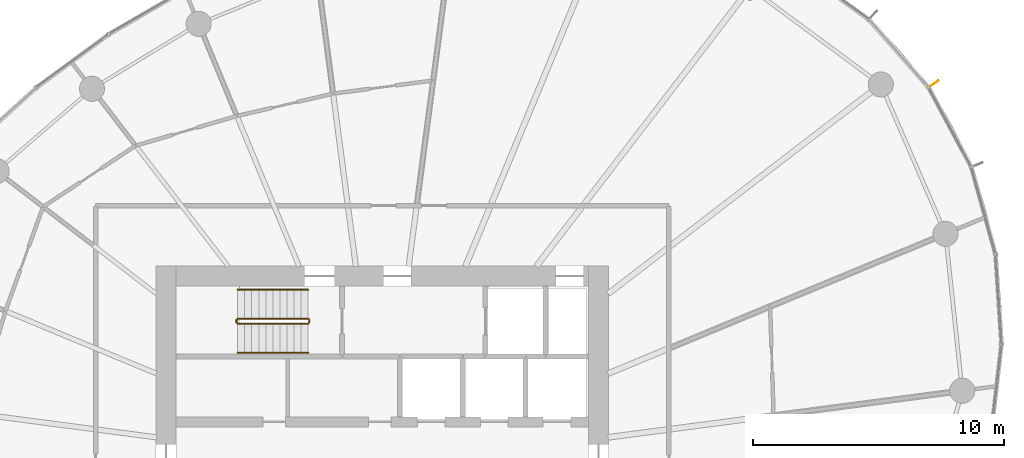
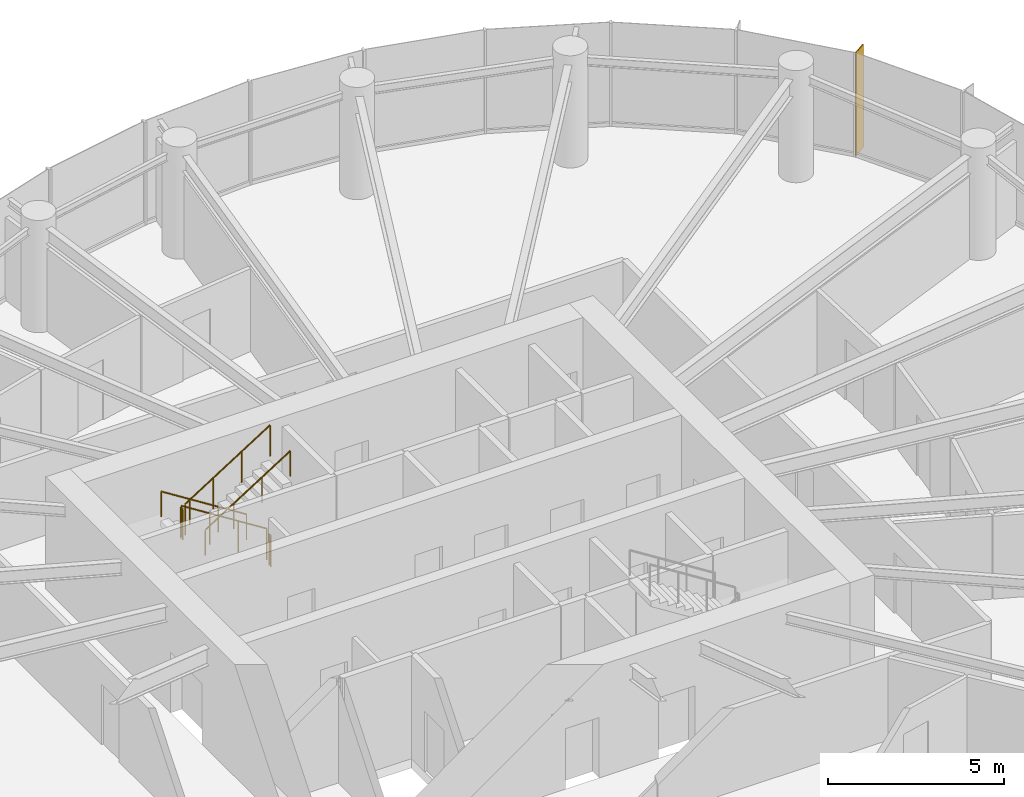
# One storey, part 13 of 14: 6 railings, 1 shading device.
"""IFC4 building model written with IfcOpenShell, lengths in metres."""

import ifcopenshell
import ifcopenshell.guid

model = None  # the IFC model being written
_history = None  # IfcOwnerHistory: only IFC2X3 demands one
_inside = {}  # id of a spatial element -> (the spatial element, [elements in it])
_under = {}  # id of a project, library or spatial element -> (it, [spatial elements below it])
_declared = {}  # id of a project -> (the project, [libraries it declares])
_typed = {}  # id of a type object -> (the type object, [elements of that type])
_made_of = {}  # id of a material, layer set ... -> (it, [elements and type objects made of it])


def new_model(schema):
    """Start an empty IFC model of exactly this schema.

    Asked for "IFC4X3", IfcOpenShell would pick the latest addendum, in which some entities
    have other attributes; the version numbers below select the first issue.
    IFC2X3 requires an IfcOwnerHistory on every rooted entity: one is made here for all.
    """
    global model, _history
    if schema == "IFC4X3":
        model = ifcopenshell.file(schema_version=(4, 3, 0, 0))
    else:
        model = ifcopenshell.file(schema=schema)
    _inside.clear()
    _under.clear()
    _declared.clear()
    _typed.clear()
    _made_of.clear()
    _history = None
    if model.schema == "IFC2X3":
        org = make("IfcOrganization", Name="unknown")
        user = make(
            "IfcPersonAndOrganization",
            ThePerson=make("IfcPerson", FamilyName="unknown"),
            TheOrganization=org,
        )
        app = make(
            "IfcApplication",
            ApplicationDeveloper=org,
            Version="unknown",
            ApplicationFullName="unknown",
            ApplicationIdentifier="unknown",
        )
        _history = make(
            "IfcOwnerHistory",
            OwningUser=user,
            OwningApplication=app,
            ChangeAction="ADDED",
            CreationDate=0,
        )
    return model


def make(cls, **values):
    """One entity of the class cls with the attributes given. An attribute that is None is left unset."""
    return model.create_entity(
        cls, **{name: value for name, value in values.items() if value is not None}
    )


def rooted(cls, **values):
    """An entity with a GlobalId (a new one), such as an element, a storey or a relation."""
    return make(cls, GlobalId=ifcopenshell.guid.new(), OwnerHistory=_history, **values)


def si_unit(unit_type, name, prefix=None):
    """IfcSIUnit, for example si_unit("LENGTHUNIT", "METRE", prefix="MILLI")."""
    return make("IfcSIUnit", UnitType=unit_type, Prefix=prefix, Name=name)


def assignment(units):
    """IfcUnitAssignment: the units of a project."""
    return None if units is None else make("IfcUnitAssignment", Units=units)


def point(xyz):
    """IfcCartesianPoint."""
    return None if xyz is None else make("IfcCartesianPoint", Coordinates=xyz)


def direction(xyz):
    """IfcDirection."""
    return None if xyz is None else make("IfcDirection", DirectionRatios=xyz)


def frame(location, z_axis=None, x_axis=None):
    """IfcAxis2Placement3D, a coordinate frame: its origin and axes. An axis left out is left unset."""
    return make(
        "IfcAxis2Placement3D",
        Location=point(location),
        Axis=direction(z_axis),
        RefDirection=direction(x_axis),
    )


def frame_2d(location, x_axis=None):
    """IfcAxis2Placement2D, a coordinate frame in the plane: its origin and x axis."""
    return make(
        "IfcAxis2Placement2D", Location=point(location), RefDirection=direction(x_axis)
    )


def origin():
    """The frame at (0, 0, 0) with its axes left unset."""
    return frame((0.0, 0.0, 0.0))


def origin_2d():
    """The frame at (0, 0) in the plane with its x axis left unset."""
    return frame_2d((0.0, 0.0))


def place(relative_to, where):
    """IfcLocalPlacement: puts the frame where relative to a parent placement (None: the world)."""
    return make(
        "IfcLocalPlacement", PlacementRelTo=relative_to, RelativePlacement=where
    )


def context(
    kind, dimensions, precision=None, world=None, true_north=None, identifier=None
):
    """IfcGeometricRepresentationContext, for example the 3D "Model" context."""
    return make(
        "IfcGeometricRepresentationContext",
        ContextIdentifier=identifier,
        ContextType=kind,
        CoordinateSpaceDimension=dimensions,
        Precision=precision,
        WorldCoordinateSystem=world,
        TrueNorth=true_north,
    )


def subcontext(parent, identifier, kind, view, scale=None):
    """IfcGeometricRepresentationSubContext, for example "Body" below "Model"."""
    return make(
        "IfcGeometricRepresentationSubContext",
        ContextIdentifier=identifier,
        ContextType=kind,
        ParentContext=parent,
        TargetScale=scale,
        TargetView=view,
    )


def project(units=None, contexts=None):
    """IfcProject with its units and contexts."""
    return rooted(
        "IfcProject",
        Name="project",
        RepresentationContexts=contexts,
        UnitsInContext=assignment(units),
    )


def spatial(cls, under=None, at=None, **own):
    """A site, building, storey or space (cls), placed at a placement, below another one or the project."""
    s = rooted(cls, ObjectPlacement=at, **own)
    if under is not None:
        _under.setdefault(under.id(), (under, []))[1].append(s)
    return s


def profile(cls, at=None, kind="AREA", **sizes):
    """A parametric profile (cls). Its sizes go by their IFC names, for example OverallWidth=200.0."""
    return make(cls, ProfileType=kind, Position=at, **sizes)


def rectangle(**sizes):
    """IfcRectangleProfileDef."""
    return profile("IfcRectangleProfileDef", **sizes)


def circle(**sizes):
    """IfcCircleProfileDef."""
    return profile("IfcCircleProfileDef", **sizes)


def extrude(swept, where, along, depth):
    """IfcExtrudedAreaSolid: the profile swept, set in the frame where, extruded along a direction by depth."""
    return make(
        "IfcExtrudedAreaSolid",
        SweptArea=swept,
        Position=where,
        ExtrudedDirection=direction(along),
        Depth=depth,
    )


def shape(context_of_items, identifier, shape_type, items):
    """IfcShapeRepresentation: the items that make up one representation, for example the "Body"."""
    return make(
        "IfcShapeRepresentation",
        ContextOfItems=context_of_items,
        RepresentationIdentifier=identifier,
        RepresentationType=shape_type,
        Items=items,
    )


def source(mapping_origin, context_of_items, identifier, shape_type, items):
    """IfcRepresentationMap: a shape defined once, which mapped items show again and again."""
    return make(
        "IfcRepresentationMap",
        MappingOrigin=mapping_origin,
        MappedRepresentation=shape(context_of_items, identifier, shape_type, items),
    )


def transform(
    local_origin,
    x_axis=None,
    y_axis=None,
    z_axis=None,
    scale=None,
    scale2=None,
    scale3=None,
    uniform=True,
):
    """IfcCartesianTransformationOperator3D, or its non-uniform kind. x_axis, y_axis, z_axis: its Axis1, 2, 3."""
    if uniform:
        return make(
            "IfcCartesianTransformationOperator3D",
            Axis1=direction(x_axis),
            Axis2=direction(y_axis),
            LocalOrigin=point(local_origin),
            Scale=scale,
            Axis3=direction(z_axis),
        )
    return make(
        "IfcCartesianTransformationOperator3DnonUniform",
        Axis1=direction(x_axis),
        Axis2=direction(y_axis),
        LocalOrigin=point(local_origin),
        Scale=scale,
        Axis3=direction(z_axis),
        Scale2=scale2,
        Scale3=scale3,
    )


def mapped(mapping_source, mapping_target):
    """IfcMappedItem: shows the shape of a source again, moved by a transform."""
    return make(
        "IfcMappedItem", MappingSource=mapping_source, MappingTarget=mapping_target
    )


def material(Name=None, Category=None):
    """IfcMaterial."""
    return make("IfcMaterial", Name=Name, Category=Category)


def material_profile(
    of_material, cross_section, Name=None, Category=None, Priority=None
):
    """IfcMaterialProfile: a cross section and its material."""
    return make(
        "IfcMaterialProfile",
        Name=Name,
        Material=of_material,
        Profile=cross_section,
        Priority=Priority,
        Category=Category,
    )


def profile_set(profiles, Name=None, composite=None):
    """IfcMaterialProfileSet."""
    return make(
        "IfcMaterialProfileSet",
        Name=Name,
        MaterialProfiles=profiles,
        CompositeProfile=composite,
    )


def made_of(thing, what):
    """Note that an element or type object is made of a material, layer set ...; save() writes the relation."""
    if what is not None:
        _made_of.setdefault(what.id(), (what, []))[1].append(thing)
    return thing


def type_object(cls, material=None, **own):
    """A type object (cls), such as IfcWallType, which elements share."""
    return made_of(rooted(cls, **own), material)


def element(
    cls,
    number,
    at=None,
    inside=None,
    cuts=None,
    type_object=None,
    material=None,
    context=None,
    identifier="Body",
    shape_type=None,
    held_by="IfcProductDefinitionShape",
    body=None,
    shapes=None,
    **own,
):
    """One element of the class cls, such as IfcWall. Its Tag is "e" and its number.

    at: its placement. inside: the storey or other place that contains it. cuts: it is an
    opening in that element (IfcRelVoidsElement). A single representation is given by context,
    identifier, shape_type and body (its items); several are given by shapes. held_by: the class
    of the entity that holds the representations. save() writes the other relations.
    """
    e = rooted(cls, Tag="e%d" % number, ObjectPlacement=at, **own)
    if body is not None:
        shapes = [shape(context, identifier, shape_type, body)]
    if shapes is not None:
        e.Representation = make(held_by, Representations=shapes)
    if inside is not None:
        _inside.setdefault(inside.id(), (inside, []))[1].append(e)
    if cuts is not None:
        rooted(
            "IfcRelVoidsElement", RelatingBuildingElement=cuts, RelatedOpeningElement=e
        )
    if type_object is not None:
        _typed.setdefault(type_object.id(), (type_object, []))[1].append(e)
    return made_of(e, material)


def aggregate(whole, parts):
    """IfcRelAggregates: a whole, such as a stair, and the parts it consists of."""
    return rooted("IfcRelAggregates", RelatingObject=whole, RelatedObjects=parts)


def save(model, path):
    """Write the relations noted so far, then the file.

    IfcRelAggregates (storeys below a building ...), IfcRelContainedInSpatialStructure (elements
    in a storey), IfcRelDefinesByType, IfcRelAssociatesMaterial and IfcRelDeclares: one each for
    every whole, place, type object, material and project.
    """
    for whole, parts in _under.values():
        aggregate(whole, parts)
    for where, things in _inside.values():
        rooted(
            "IfcRelContainedInSpatialStructure",
            RelatedElements=things,
            RelatingStructure=where,
        )
    for kind, things in _typed.values():
        rooted("IfcRelDefinesByType", RelatedObjects=things, RelatingType=kind)
    for what, things in _made_of.values():
        rooted("IfcRelAssociatesMaterial", RelatedObjects=things, RelatingMaterial=what)
    for by, libraries in _declared.values():
        rooted("IfcRelDeclares", RelatingContext=by, RelatedDefinitions=libraries)
    model.write(path)


model = new_model("IFC4")

# Units and contexts
model_context = context("Model", 3, precision=1e-05, world=origin(), true_north=direction((0.0, 1.0)))
body_context = subcontext(model_context, "Body", "Model", "MODEL_VIEW")
ifc_project = project(units=[si_unit("LENGTHUNIT", "METRE"), si_unit("AREAUNIT", "SQUARE_METRE"), si_unit("VOLUMEUNIT", "CUBIC_METRE"), si_unit("PLANEANGLEUNIT", "RADIAN"), si_unit("MASSUNIT", "GRAM", prefix="KILO")], contexts=[model_context])

# Site, building, storey
site_placement = place(None, origin())
site = spatial("IfcSite", under=ifc_project, at=site_placement, CompositionType="ELEMENT")
building_placement = place(site_placement, origin())
building = spatial("IfcBuilding", under=site, at=building_placement, Name="Spindrift Exchange Tower", CompositionType="ELEMENT")
storey_placement = place(building_placement, frame((0.0, 0.0, 160.39990234375)))
storey = spatial("IfcBuildingStorey", under=building, at=storey_placement, Name="L38", CompositionType="ELEMENT", Elevation=160.39990234375)

# Railings
ifc_material_1 = material(Name="Steel balustrade", Category="steel")
railing_type_1 = type_object("IfcRailingType", Name="RL-STAIR-GUARD", PredefinedType="GUARDRAIL", material=ifc_material_1)
railing_1_placement = place(storey_placement, frame((49.050048828125, 53.89990234375, 0.177490234375)))
element("IfcRailing", 1, at=railing_1_placement, inside=storey, type_object=railing_type_1, Name="L38 ST1 stair guard 1", PredefinedType="GUARDRAIL", context=body_context, shape_type="SweptSolid", body=[
    extrude(circle(Radius=0.02392578125, at=origin_2d()), frame((0.0, 0.0, 1.076171875), z_axis=(-0.844908973607, 0.0, 0.534910110503), x_axis=(0.0, -1.0, 0.0)), (0.0, 0.0, 1.0), 3.31396484375),
    extrude(circle(Radius=0.02099609375, at=origin_2d()), origin(), (0.0, 0.0, 1.0), 1.052001953125),
    extrude(circle(Radius=0.02099609375, at=origin_2d()), frame((-0.933349609375, 0.0, 0.5908203125)), (0.0, 0.0, 1.0), 1.052001953125),
    extrude(circle(Radius=0.02099609375, at=origin_2d()), frame((-1.86669921875, 0.0, 1.181884765625)), (0.0, 0.0, 1.0), 1.052001953125),
    extrude(circle(Radius=0.02099609375, at=origin_2d()), frame((-2.800048828125, 0.0, 1.772705078125)), (0.0, 0.0, 1.0), 1.052001953125),
])
railing_2_placement = place(storey_placement, frame((46.199951171875, 53.85009765625, 1.9501953125)))
element("IfcRailing", 2, at=railing_2_placement, inside=storey, type_object=railing_type_1, Name="L38 ST1 stair guard 2", PredefinedType="GUARDRAIL", context=body_context, shape_type="SweptSolid", body=[
    extrude(circle(Radius=0.02392578125, at=origin_2d()), frame((0.0, 0.0, 1.076171875), z_axis=(0.0, -1.0, 0.0), x_axis=(1.0, 0.0, 0.0)), (0.0, 0.0, 1.0), 0.10009765625),
    extrude(circle(Radius=0.02099609375, at=origin_2d()), origin(), (0.0, 0.0, 1.0), 1.052001953125),
    extrude(circle(Radius=0.02099609375, at=origin_2d()), frame((0.0, -0.10009765625, 0.0)), (0.0, 0.0, 1.0), 1.052001953125),
])
railing_3_placement = place(storey_placement, frame((46.25, 53.699951171875, 2.12744140625)))
element("IfcRailing", 3, at=railing_3_placement, inside=storey, type_object=railing_type_1, Name="L38 ST1 stair guard 3", PredefinedType="GUARDRAIL", context=body_context, shape_type="SweptSolid", body=[
    extrude(circle(Radius=0.02392578125, at=origin_2d()), frame((0.0, 0.0, 1.076171875), z_axis=(0.844908973607, 0.0, 0.534910110503), x_axis=(0.0, 1.0, 0.0)), (0.0, 0.0, 1.0), 3.31396484375),
    extrude(circle(Radius=0.02099609375, at=origin_2d()), origin(), (0.0, 0.0, 1.0), 1.052001953125),
    extrude(circle(Radius=0.02099609375, at=origin_2d()), frame((0.933349609375, 0.0, 0.5908203125)), (0.0, 0.0, 1.0), 1.052001953125),
    extrude(circle(Radius=0.02099609375, at=origin_2d()), frame((1.86669921875, 0.0, 1.181884765625)), (0.0, 0.0, 1.0), 1.052001953125),
    extrude(circle(Radius=0.02099609375, at=origin_2d()), frame((2.800048828125, 0.0, 1.772705078125)), (0.0, 0.0, 1.0), 1.052001953125),
])
railing_4_placement = place(storey_placement, frame((49.10009765625, 53.85009765625, 0.0)))
element("IfcRailing", 4, at=railing_4_placement, inside=storey, type_object=railing_type_1, Name="L38 ST1 stair guard 4", PredefinedType="GUARDRAIL", context=body_context, shape_type="SweptSolid", body=[
    extrude(circle(Radius=0.02392578125, at=origin_2d()), frame((0.0, 0.0, 1.076171875), z_axis=(0.0, -1.0, 0.0), x_axis=(1.0, 0.0, 0.0)), (0.0, 0.0, 1.0), 0.10009765625),
    extrude(circle(Radius=0.02099609375, at=origin_2d()), origin(), (0.0, 0.0, 1.0), 1.052001953125),
    extrude(circle(Radius=0.02099609375, at=origin_2d()), frame((0.0, -0.10009765625, 0.0)), (0.0, 0.0, 1.0), 1.052001953125),
])
ifc_material_2 = material(Name="Steel tubular handrail", Category="steel")
railing_type_2 = type_object("IfcRailingType", Name="RL-STAIR-HAND", PredefinedType="HANDRAIL", material=ifc_material_2)
railing_5_placement = place(storey_placement, frame((49.050048828125, 55.050048828125, 0.177490234375)))
element("IfcRailing", 5, at=railing_5_placement, inside=storey, type_object=railing_type_2, Name="L38 ST1 stair handrail 1", PredefinedType="HANDRAIL", context=body_context, shape_type="SweptSolid", body=[
    extrude(circle(Radius=0.02392578125, at=origin_2d()), frame((0.0, 0.0, 0.8759765625), z_axis=(-0.844908973607, 0.0, 0.534910110503), x_axis=(0.0, -1.0, 0.0)), (0.0, 0.0, 1.0), 3.31396484375),
    extrude(circle(Radius=0.02099609375, at=origin_2d()), origin(), (0.0, 0.0, 1.0), 0.851806640625),
    extrude(circle(Radius=0.02099609375, at=origin_2d()), frame((-0.933349609375, 0.0, 0.5908203125)), (0.0, 0.0, 1.0), 0.851806640625),
    extrude(circle(Radius=0.02099609375, at=origin_2d()), frame((-1.86669921875, 0.0, 1.181884765625)), (0.0, 0.0, 1.0), 0.851806640625),
    extrude(circle(Radius=0.02099609375, at=origin_2d()), frame((-2.800048828125, 0.0, 1.772705078125)), (0.0, 0.0, 1.0), 0.851806640625),
])
railing_6_placement = place(storey_placement, frame((46.25, 52.550048828125, 2.12744140625)))
element("IfcRailing", 6, at=railing_6_placement, inside=storey, type_object=railing_type_2, Name="L38 ST1 stair handrail 2", PredefinedType="HANDRAIL", context=body_context, shape_type="SweptSolid", body=[
    extrude(circle(Radius=0.02392578125, at=origin_2d()), frame((0.0, 0.0, 0.8759765625), z_axis=(0.844908973607, 0.0, 0.534910110503), x_axis=(0.0, 1.0, 0.0)), (0.0, 0.0, 1.0), 3.31396484375),
    extrude(circle(Radius=0.02099609375, at=origin_2d()), origin(), (0.0, 0.0, 1.0), 0.851806640625),
    extrude(circle(Radius=0.02099609375, at=origin_2d()), frame((0.933349609375, 0.0, 0.5908203125)), (0.0, 0.0, 1.0), 0.851806640625),
    extrude(circle(Radius=0.02099609375, at=origin_2d()), frame((1.86669921875, 0.0, 1.181884765625)), (0.0, 0.0, 1.0), 0.851806640625),
    extrude(circle(Radius=0.02099609375, at=origin_2d()), frame((2.800048828125, 0.0, 1.772705078125)), (0.0, 0.0, 1.0), 0.851806640625),
])

# Shading device
ifc_material_3 = material(Name="Bronze anodised aluminium", Category="aluminium")
ifc_material_profile = material_profile(ifc_material_3, rectangle(XDim=0.030029296875, YDim=0.5, at=origin_2d()), Name="WIND FIN 30X500")
ifc_profile_set = profile_set([ifc_material_profile], Name="Bronze anodised aluminium")
shading_device_type = type_object("IfcShadingDeviceType", Name="WIND FIN 30X500", PredefinedType="USERDEFINED", material=ifc_profile_set)
shared_shape = source(origin(), body_context, "Body", "SweptSolid", [
    extrude(rectangle(XDim=0.030029296875, YDim=0.5, at=origin_2d()), origin(), (0.0, 0.0, 1.0), 3.580078125),
])
shading_device_placement = place(storey_placement, frame((73.910888671875, 63.2255859375, 0.0), z_axis=(0.0, 0.0, 1.0), x_axis=(-0.570627574011, 0.821208969616, 0.0)))
element("IfcShadingDevice", 7, at=shading_device_placement, inside=storey, type_object=shading_device_type, Name="L38 wind fin 2", ObjectType="FIN", PredefinedType="USERDEFINED", context=body_context, shape_type="MappedRepresentation", body=[
    mapped(shared_shape, transform((0.0, 0.0, 0.0), scale=1.0)),
])

save(model, "model.ifc")
